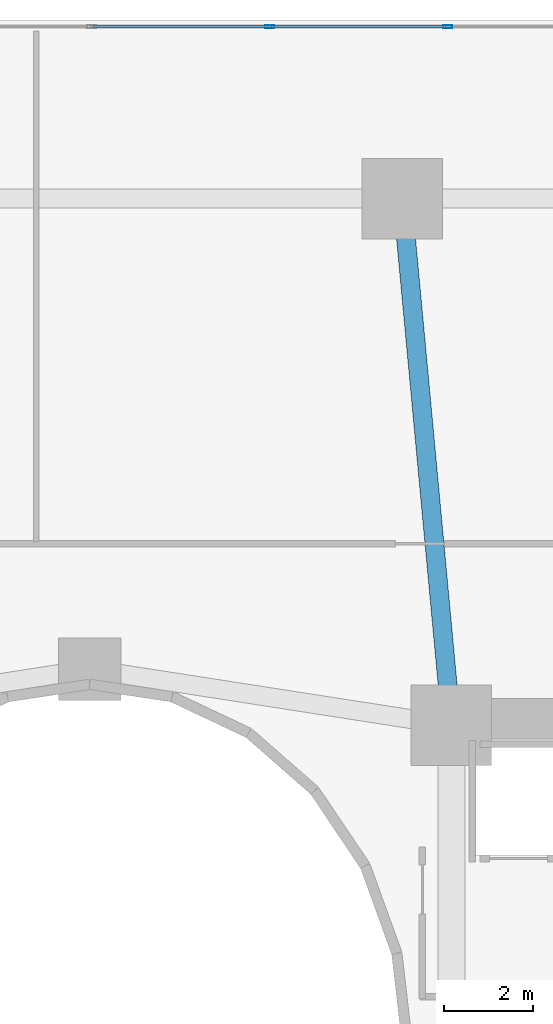
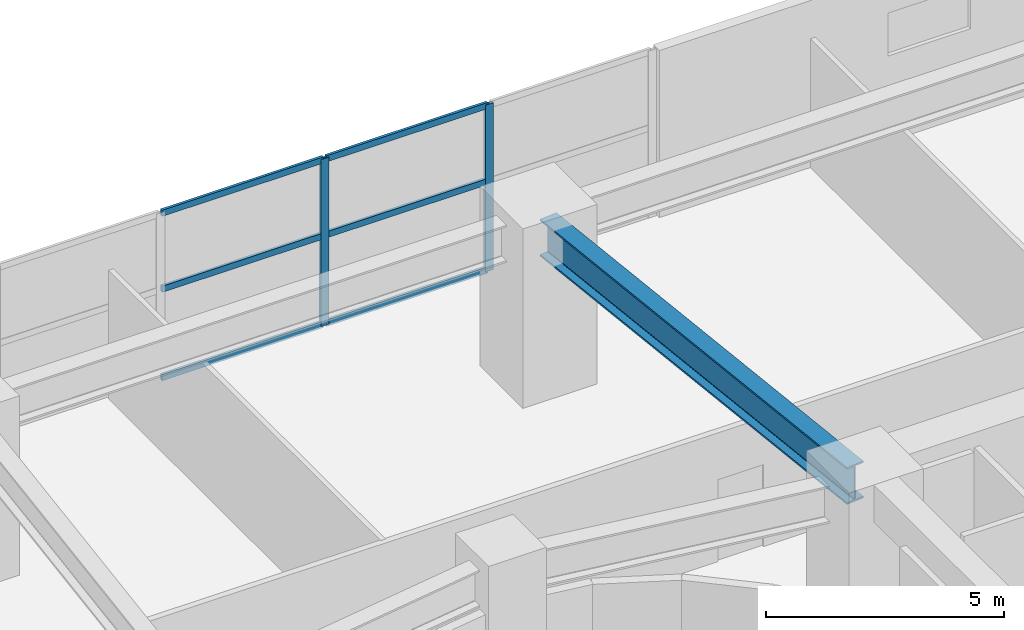
# One storey, part 8 of 20: 8 members, 1 beam, 1 element without a shape of its own.
"""IFC4 building model written with IfcOpenShell, lengths in metres."""

from ifc_helpers import new_model, si_unit, direction, frame, origin, origin_2d, place, context, subcontext, project, spatial, hollow_rectangle, i_section, extrude, material, layer, layer_set, material_profile, profile_set, type_object, element, aggregate, save


model = new_model("IFC4")

# Units and contexts
model_context = context("Model", 3, precision=1e-05, world=origin(), true_north=direction((0.0, 1.0)))
body_context = subcontext(model_context, "Body", "Model", "MODEL_VIEW")
ifc_project = project(units=[si_unit("LENGTHUNIT", "METRE"), si_unit("AREAUNIT", "SQUARE_METRE"), si_unit("VOLUMEUNIT", "CUBIC_METRE"), si_unit("PLANEANGLEUNIT", "RADIAN"), si_unit("MASSUNIT", "GRAM", prefix="KILO")], contexts=[model_context])

# Site, building, storey
site_placement = place(None, origin())
site = spatial("IfcSite", under=ifc_project, at=site_placement, CompositionType="ELEMENT")
building_placement = place(site_placement, origin())
building = spatial("IfcBuilding", under=site, at=building_placement, Name="Solvane Sanctuary Tower", CompositionType="ELEMENT")
storey_placement = place(building_placement, frame((0.0, 0.0, 9.199951171875)))
storey = spatial("IfcBuildingStorey", under=building, at=storey_placement, Name="L03", CompositionType="ELEMENT", Elevation=9.199951171875)

# Beam
ifc_material_1 = material(Name="Steel ASTM A913 Grade 65", Category="steel")
ifc_material_profile_1 = material_profile(ifc_material_1, i_section(OverallWidth=0.423095703125, OverallDepth=0.947998046875, WebThickness=0.02392578125, FlangeThickness=0.042724609375, FilletRadius=0.02392578125, at=origin_2d()), Name="W36X302")
ifc_profile_set_1 = profile_set([ifc_material_profile_1], Name="Steel ASTM A913 Grade 65")
beam_type = type_object("IfcBeamType", Name="Beam B-POD-GIRD W36X302", PredefinedType="BEAM", material=ifc_profile_set_1)
beam_placement = place(storey_placement, frame((39.032470703125, 41.651611328125, 3.803955078125), z_axis=(0.092807615301, -0.9956840596, 0.0), x_axis=(0.9956840596, 0.092807615301, 0.0)))
element("IfcBeam", 1, at=beam_placement, inside=storey, type_object=beam_type, Name="L03 Podium Primary Girder PG12", PredefinedType="BEAM", context=body_context, shape_type="SweptSolid", body=[
    extrude(i_section(OverallWidth=0.423095703125, OverallDepth=0.947998046875, WebThickness=0.02392578125, FlangeThickness=0.042724609375, FilletRadius=0.02392578125, at=origin_2d()), origin(), (0.0, 0.0, 1.0), 11.151123046875),
])

# Curtain wall, members
ifc_material_2 = material(Name="Anodised Aluminium 6063-T6", Category="aluminium")
ifc_layer = layer(ifc_material_2, 0.159912109375, Name="Anodised Aluminium 6063-T6")
ifc_layer_set = layer_set([ifc_layer], Name="Anodised Aluminium 6063-T6")
curtain_wall_type = type_object("IfcCurtainWallType", Name="Curtain Wall CW-POD", PredefinedType="NOTDEFINED", material=ifc_layer_set)
curtain_wall_placement = place(storey_placement, origin())
curtain_wall = element("IfcCurtainWall", 2, at=curtain_wall_placement, inside=storey, type_object=curtain_wall_type, Name="L03 Sanctuary Curtain Wall N2", PredefinedType="NOTDEFINED")
ifc_material_profile_2 = material_profile(ifc_material_2, hollow_rectangle(XDim=0.074951171875, YDim=0.199951171875, WallThickness=0.00390625, at=origin_2d()), Name="ALU200X75X4")
ifc_profile_set_2 = profile_set([ifc_material_profile_2], Name="Anodised Aluminium 6063-T6")
member_type_1 = type_object("IfcMemberType", Name="Member M-CW-MUL-1 ALU200X75X4", PredefinedType="MULLION", material=ifc_profile_set_2)
member_1_placement = place(storey_placement, frame((40.013427734375, 45.85009765625, 0.0), z_axis=(0.0, 0.0, 1.0), x_axis=(0.0, -1.0, 0.0)))
member_1 = element("IfcMember", 3, at=member_1_placement, type_object=member_type_1, Name="CW-POD mullion 2", PredefinedType="MULLION", context=body_context, shape_type="SweptSolid", body=[
    extrude(hollow_rectangle(XDim=0.074951171875, YDim=0.199951171875, WallThickness=0.00390625, at=origin_2d()), origin(), (0.0, 0.0, 1.0), 4.280029296875),
])
member_2_placement = place(storey_placement, frame((36.026611328125, 45.85009765625, 0.0), z_axis=(0.0, 0.0, 1.0), x_axis=(0.0, -1.0, 0.0)))
member_2 = element("IfcMember", 4, at=member_2_placement, type_object=member_type_1, Name="CW-POD mullion 3", PredefinedType="MULLION", context=body_context, shape_type="SweptSolid", body=[
    extrude(hollow_rectangle(XDim=0.074951171875, YDim=0.199951171875, WallThickness=0.00390625, at=origin_2d()), origin(), (0.0, 0.0, 1.0), 4.280029296875),
])
ifc_material_profile_3 = material_profile(ifc_material_2, hollow_rectangle(XDim=0.06494140625, YDim=0.159912109375, WallThickness=0.00341796875, at=origin_2d()), Name="ALU160X65X3.5")
ifc_profile_set_3 = profile_set([ifc_material_profile_3], Name="Anodised Aluminium 6063-T6")
member_type_2 = type_object("IfcMemberType", Name="Member M-CW-TRN-1 ALU160X65X3.5", PredefinedType="USERDEFINED", material=ifc_profile_set_3)
member_3_placement = place(storey_placement, frame((39.975830078125, 45.85009765625, 0.032470703125), z_axis=(-1.0, 0.0, 0.0), x_axis=(0.0, -1.0, 0.0)))
member_3 = element("IfcMember", 5, at=member_3_placement, type_object=member_type_2, Name="CW-POD transom 2.1", ObjectType="TRANSOM", PredefinedType="USERDEFINED", context=body_context, shape_type="SweptSolid", body=[
    extrude(hollow_rectangle(XDim=0.06494140625, YDim=0.159912109375, WallThickness=0.00341796875, at=origin_2d()), origin(), (0.0, 0.0, 1.0), 3.91162109375),
])
member_4_placement = place(storey_placement, frame((39.975830078125, 45.85009765625, 2.300048828125), z_axis=(-1.0, 0.0, 0.0), x_axis=(0.0, -1.0, 0.0)))
member_4 = element("IfcMember", 6, at=member_4_placement, type_object=member_type_2, Name="CW-POD transom 2.2", ObjectType="TRANSOM", PredefinedType="USERDEFINED", context=body_context, shape_type="SweptSolid", body=[
    extrude(hollow_rectangle(XDim=0.06494140625, YDim=0.159912109375, WallThickness=0.00341796875, at=origin_2d()), origin(), (0.0, 0.0, 1.0), 3.91162109375),
])
member_5_placement = place(storey_placement, frame((39.975830078125, 45.85009765625, 4.24755859375), z_axis=(-1.0, 0.0, 0.0), x_axis=(0.0, -1.0, 0.0)))
member_5 = element("IfcMember", 7, at=member_5_placement, type_object=member_type_2, Name="CW-POD transom 2.3", ObjectType="TRANSOM", PredefinedType="USERDEFINED", context=body_context, shape_type="SweptSolid", body=[
    extrude(hollow_rectangle(XDim=0.06494140625, YDim=0.159912109375, WallThickness=0.00341796875, at=origin_2d()), origin(), (0.0, 0.0, 1.0), 3.91162109375),
])
member_6_placement = place(storey_placement, frame((35.9892578125, 45.85009765625, 0.032470703125), z_axis=(-1.0, 0.0, 0.0), x_axis=(0.0, -1.0, 0.0)))
member_6 = element("IfcMember", 8, at=member_6_placement, type_object=member_type_2, Name="CW-POD transom 3.1", ObjectType="TRANSOM", PredefinedType="USERDEFINED", context=body_context, shape_type="SweptSolid", body=[
    extrude(hollow_rectangle(XDim=0.06494140625, YDim=0.159912109375, WallThickness=0.00341796875, at=origin_2d()), origin(), (0.0, 0.0, 1.0), 3.911865234375),
])
member_7_placement = place(storey_placement, frame((35.9892578125, 45.85009765625, 2.300048828125), z_axis=(-1.0, 0.0, 0.0), x_axis=(0.0, -1.0, 0.0)))
member_7 = element("IfcMember", 9, at=member_7_placement, type_object=member_type_2, Name="CW-POD transom 3.2", ObjectType="TRANSOM", PredefinedType="USERDEFINED", context=body_context, shape_type="SweptSolid", body=[
    extrude(hollow_rectangle(XDim=0.06494140625, YDim=0.159912109375, WallThickness=0.00341796875, at=origin_2d()), origin(), (0.0, 0.0, 1.0), 3.911865234375),
])
member_8_placement = place(storey_placement, frame((35.9892578125, 45.85009765625, 4.24755859375), z_axis=(-1.0, 0.0, 0.0), x_axis=(0.0, -1.0, 0.0)))
member_8 = element("IfcMember", 10, at=member_8_placement, type_object=member_type_2, Name="CW-POD transom 3.3", ObjectType="TRANSOM", PredefinedType="USERDEFINED", context=body_context, shape_type="SweptSolid", body=[
    extrude(hollow_rectangle(XDim=0.06494140625, YDim=0.159912109375, WallThickness=0.00341796875, at=origin_2d()), origin(), (0.0, 0.0, 1.0), 3.911865234375),
])
aggregate(curtain_wall, [member_1, member_2, member_3, member_4, member_5, member_6, member_7, member_8])

save(model, "model.ifc")
